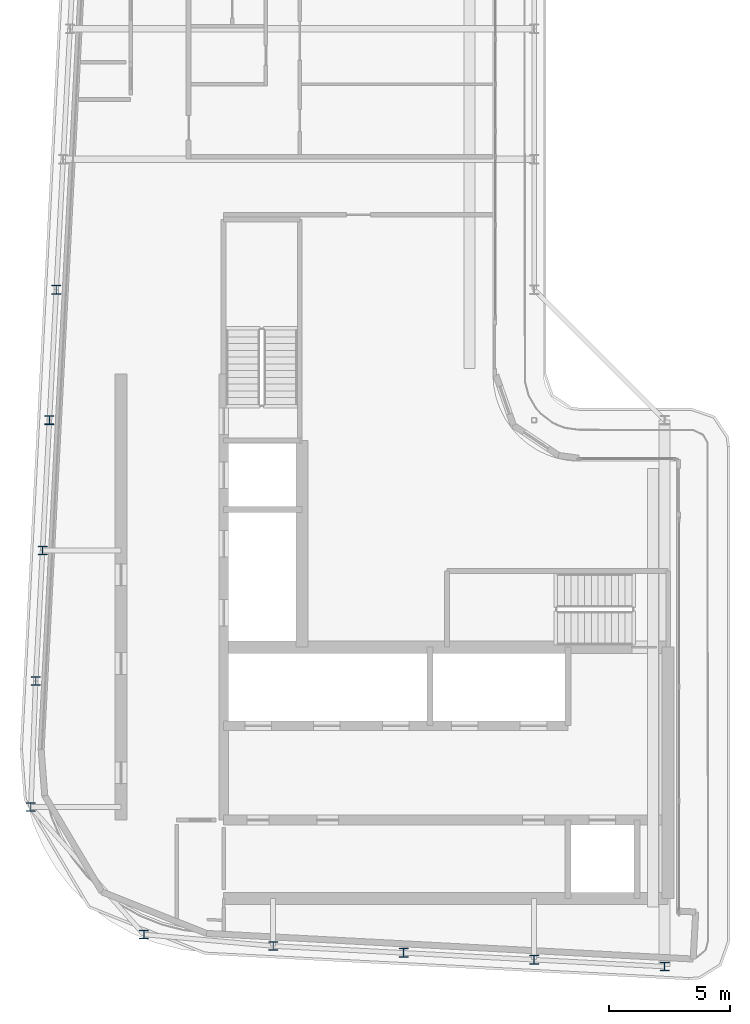
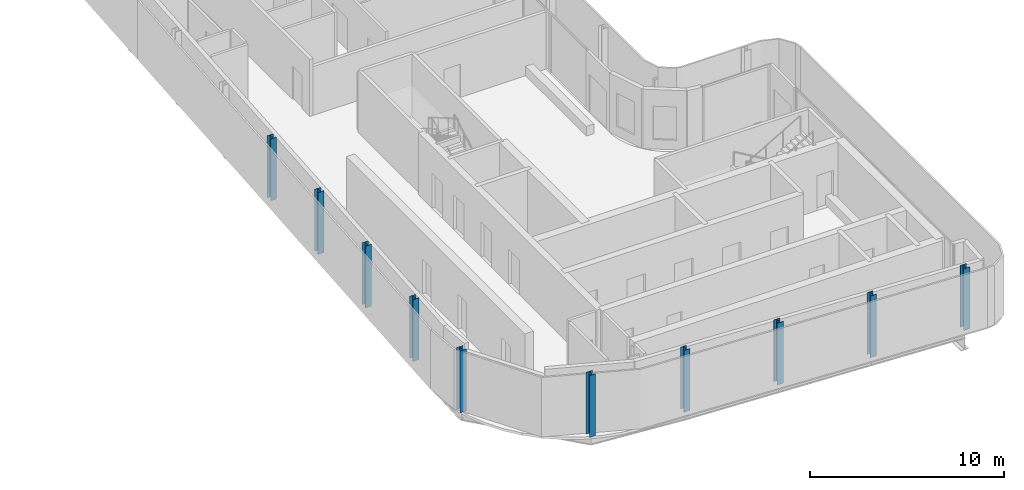
# One storey, part 1 of 18: 10 columns.
"""IFC4 building model written with IfcOpenShell, lengths in metres."""

from ifc_helpers import new_model, si_unit, direction, frame, origin, origin_2d, place, context, subcontext, project, spatial, i_section, extrude, material, material_profile, profile_set, type_object, element, save


model = new_model("IFC4")

# Units and contexts
model_context = context("Model", 3, precision=1e-05, world=origin(), true_north=direction((0.0, 1.0)))
body_context = subcontext(model_context, "Body", "Model", "MODEL_VIEW")
ifc_project = project(units=[si_unit("LENGTHUNIT", "METRE"), si_unit("AREAUNIT", "SQUARE_METRE"), si_unit("VOLUMEUNIT", "CUBIC_METRE"), si_unit("PLANEANGLEUNIT", "RADIAN"), si_unit("MASSUNIT", "GRAM", prefix="KILO")], contexts=[model_context])

# Site, building, storey
site_placement = place(None, origin())
site = spatial("IfcSite", under=ifc_project, at=site_placement, CompositionType="ELEMENT")
building_placement = place(site_placement, origin())
building = spatial("IfcBuilding", under=site, at=building_placement, Name="Kheshtan School and Residences Tower", CompositionType="ELEMENT")
storey_placement = place(building_placement, frame((0.0, 0.0, 385.10009765625)))
storey = spatial("IfcBuildingStorey", under=building, at=storey_placement, Name="L91", CompositionType="ELEMENT", Elevation=385.10009765625)

# Columns
ifc_material = material(Name="Steel ASTM A992 Grade 50", Category="steel")
ifc_material_profile = material_profile(ifc_material, i_section(OverallWidth=0.37109375, OverallDepth=0.364013671875, WebThickness=0.01318359375, FlangeThickness=0.021728515625, FilletRadius=0.010986328125, at=origin_2d()), Name="W360x162")
ifc_profile_set = profile_set([ifc_material_profile], Name="Steel ASTM A992 Grade 50")
column_type = type_object("IfcColumnType", Name="Column C6 W360x162 ASTM A992 Grade 50", PredefinedType="COLUMN", material=ifc_profile_set)
for number, where, z_axis, x_axis, name in (
    (1, (53.0, 22.97998046875, 0.0), (0.0, 0.0, 1.0), (1.0, 0.0, 0.0), "Column C019"),
    (2, (47.60009765625, 23.263916015625, 0.0), (0.0, 0.0, 1.0), (1.0, 0.0, 0.0), "Column C020"),
    (3, (42.199951171875, 23.548095703125, 0.0), (0.0, 0.0, 1.0), (1.0, 0.0, 0.0), "Column C021"),
    (4, (36.800048828125, 23.83203125, 0.0), (0.0, 0.0, 1.0), (1.0, 0.0, 0.0), "Column C022"),
    (5, (31.447021484375, 24.31005859375, 0.0), (0.0, 0.0, 1.0), (1.0, 0.0, 0.0), "Column C034"),
    (6, (26.76708984375, 29.58203125, 0.0), (0.0, 0.0, 1.0), (1.0, 0.0, 0.0), "Column C048"),
    (7, (26.968994140625, 34.800048828125, 0.0), (0.0, 0.0, 1.0), (1.0, 0.0, 0.0), "Column C052"),
    (8, (27.2529296875, 40.199951171875, 0.0), (0.0, 0.0, 1.0), (1.0, 0.0, 0.0), "Column C056"),
    (9, (27.537109375, 45.60009765625, 0.0), (0.0, 0.0, 1.0), (1.0, 0.0, 0.0), "Column C059"),
    (10, (27.822021484375, 51.0, 0.0), (0.0, 0.0, 1.0), (1.0, 0.0, 0.0), "Column C078"),
):
    element("IfcColumn", number, at=place(storey_placement, frame(where, z_axis=z_axis, x_axis=x_axis)), inside=storey, type_object=column_type, Name=name, PredefinedType="COLUMN", context=body_context, shape_type="SweptSolid", body=[
        extrude(i_section(OverallWidth=0.37109375, OverallDepth=0.364013671875, WebThickness=0.01318359375, FlangeThickness=0.021728515625, FilletRadius=0.010986328125, at=origin_2d()), origin(), (0.0, 0.0, 1.0), 3.89990234375),
    ])

save(model, "model.ifc")
